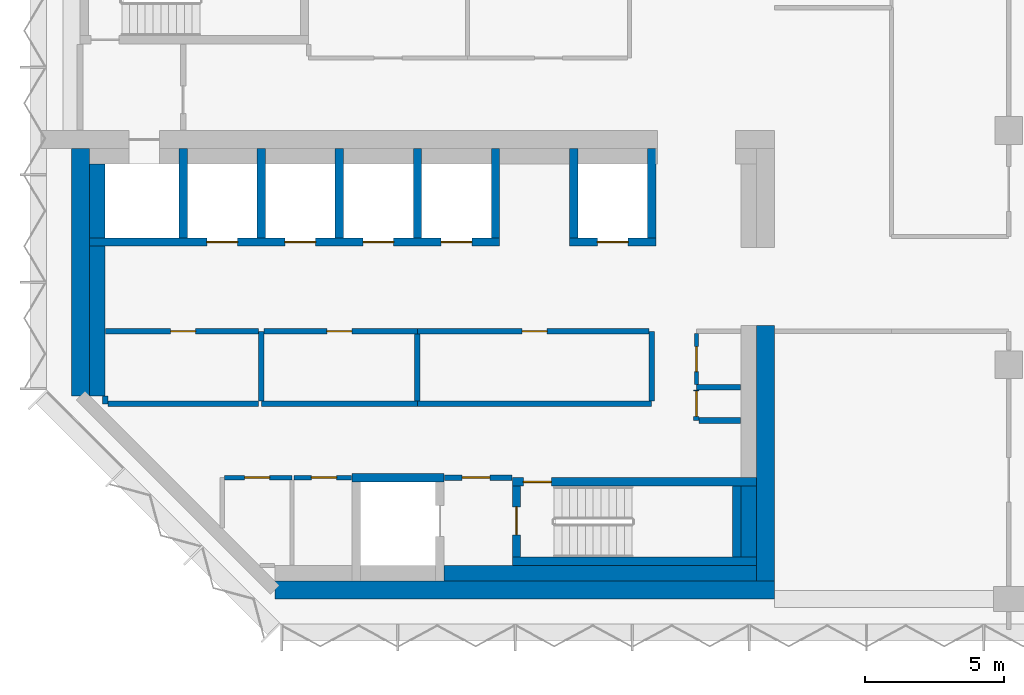
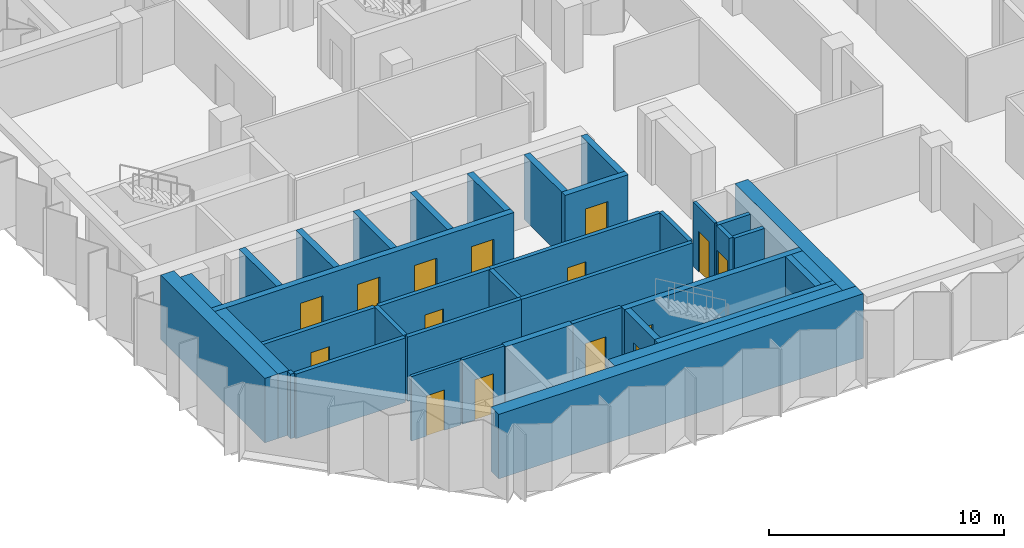
# One storey, part 5 of 10: 38 walls, 15 doors, 15 openings.
"""IFC4 building model written with IfcOpenShell, lengths in metres."""

import ifcopenshell
import ifcopenshell.guid

model = None  # the IFC model being written
_history = None  # IfcOwnerHistory: only IFC2X3 demands one
_inside = {}  # id of a spatial element -> (the spatial element, [elements in it])
_under = {}  # id of a project, library or spatial element -> (it, [spatial elements below it])
_declared = {}  # id of a project -> (the project, [libraries it declares])
_typed = {}  # id of a type object -> (the type object, [elements of that type])
_made_of = {}  # id of a material, layer set ... -> (it, [elements and type objects made of it])


def new_model(schema):
    """Start an empty IFC model of exactly this schema.

    Asked for "IFC4X3", IfcOpenShell would pick the latest addendum, in which some entities
    have other attributes; the version numbers below select the first issue.
    IFC2X3 requires an IfcOwnerHistory on every rooted entity: one is made here for all.
    """
    global model, _history
    if schema == "IFC4X3":
        model = ifcopenshell.file(schema_version=(4, 3, 0, 0))
    else:
        model = ifcopenshell.file(schema=schema)
    _inside.clear()
    _under.clear()
    _declared.clear()
    _typed.clear()
    _made_of.clear()
    _history = None
    if model.schema == "IFC2X3":
        org = make("IfcOrganization", Name="unknown")
        user = make(
            "IfcPersonAndOrganization",
            ThePerson=make("IfcPerson", FamilyName="unknown"),
            TheOrganization=org,
        )
        app = make(
            "IfcApplication",
            ApplicationDeveloper=org,
            Version="unknown",
            ApplicationFullName="unknown",
            ApplicationIdentifier="unknown",
        )
        _history = make(
            "IfcOwnerHistory",
            OwningUser=user,
            OwningApplication=app,
            ChangeAction="ADDED",
            CreationDate=0,
        )
    return model


def make(cls, **values):
    """One entity of the class cls with the attributes given. An attribute that is None is left unset."""
    return model.create_entity(
        cls, **{name: value for name, value in values.items() if value is not None}
    )


def rooted(cls, **values):
    """An entity with a GlobalId (a new one), such as an element, a storey or a relation."""
    return make(cls, GlobalId=ifcopenshell.guid.new(), OwnerHistory=_history, **values)


def si_unit(unit_type, name, prefix=None):
    """IfcSIUnit, for example si_unit("LENGTHUNIT", "METRE", prefix="MILLI")."""
    return make("IfcSIUnit", UnitType=unit_type, Prefix=prefix, Name=name)


def assignment(units):
    """IfcUnitAssignment: the units of a project."""
    return None if units is None else make("IfcUnitAssignment", Units=units)


def point(xyz):
    """IfcCartesianPoint."""
    return None if xyz is None else make("IfcCartesianPoint", Coordinates=xyz)


def direction(xyz):
    """IfcDirection."""
    return None if xyz is None else make("IfcDirection", DirectionRatios=xyz)


def frame(location, z_axis=None, x_axis=None):
    """IfcAxis2Placement3D, a coordinate frame: its origin and axes. An axis left out is left unset."""
    return make(
        "IfcAxis2Placement3D",
        Location=point(location),
        Axis=direction(z_axis),
        RefDirection=direction(x_axis),
    )


def frame_2d(location, x_axis=None):
    """IfcAxis2Placement2D, a coordinate frame in the plane: its origin and x axis."""
    return make(
        "IfcAxis2Placement2D", Location=point(location), RefDirection=direction(x_axis)
    )


def origin():
    """The frame at (0, 0, 0) with its axes left unset."""
    return frame((0.0, 0.0, 0.0))


def place(relative_to, where):
    """IfcLocalPlacement: puts the frame where relative to a parent placement (None: the world)."""
    return make(
        "IfcLocalPlacement", PlacementRelTo=relative_to, RelativePlacement=where
    )


def context(
    kind, dimensions, precision=None, world=None, true_north=None, identifier=None
):
    """IfcGeometricRepresentationContext, for example the 3D "Model" context."""
    return make(
        "IfcGeometricRepresentationContext",
        ContextIdentifier=identifier,
        ContextType=kind,
        CoordinateSpaceDimension=dimensions,
        Precision=precision,
        WorldCoordinateSystem=world,
        TrueNorth=true_north,
    )


def subcontext(parent, identifier, kind, view, scale=None):
    """IfcGeometricRepresentationSubContext, for example "Body" below "Model"."""
    return make(
        "IfcGeometricRepresentationSubContext",
        ContextIdentifier=identifier,
        ContextType=kind,
        ParentContext=parent,
        TargetScale=scale,
        TargetView=view,
    )


def project(units=None, contexts=None):
    """IfcProject with its units and contexts."""
    return rooted(
        "IfcProject",
        Name="project",
        RepresentationContexts=contexts,
        UnitsInContext=assignment(units),
    )


def spatial(cls, under=None, at=None, **own):
    """A site, building, storey or space (cls), placed at a placement, below another one or the project."""
    s = rooted(cls, ObjectPlacement=at, **own)
    if under is not None:
        _under.setdefault(under.id(), (under, []))[1].append(s)
    return s


def profile(cls, at=None, kind="AREA", **sizes):
    """A parametric profile (cls). Its sizes go by their IFC names, for example OverallWidth=200.0."""
    return make(cls, ProfileType=kind, Position=at, **sizes)


def rectangle(**sizes):
    """IfcRectangleProfileDef."""
    return profile("IfcRectangleProfileDef", **sizes)


def extrude(swept, where, along, depth):
    """IfcExtrudedAreaSolid: the profile swept, set in the frame where, extruded along a direction by depth."""
    return make(
        "IfcExtrudedAreaSolid",
        SweptArea=swept,
        Position=where,
        ExtrudedDirection=direction(along),
        Depth=depth,
    )


def shape(context_of_items, identifier, shape_type, items):
    """IfcShapeRepresentation: the items that make up one representation, for example the "Body"."""
    return make(
        "IfcShapeRepresentation",
        ContextOfItems=context_of_items,
        RepresentationIdentifier=identifier,
        RepresentationType=shape_type,
        Items=items,
    )


def material(Name=None, Category=None):
    """IfcMaterial."""
    return make("IfcMaterial", Name=Name, Category=Category)


def layer(
    of_material, thickness, ventilated=None, Name=None, Category=None, Priority=None
):
    """IfcMaterialLayer: one layer of a wall or slab, of a material (None: an air gap)."""
    return make(
        "IfcMaterialLayer",
        Material=of_material,
        LayerThickness=thickness,
        IsVentilated=ventilated,
        Name=Name,
        Category=Category,
        Priority=Priority,
    )


def layer_set(layers, Name=None):
    """IfcMaterialLayerSet."""
    return make("IfcMaterialLayerSet", MaterialLayers=layers, LayerSetName=Name)


def made_of(thing, what):
    """Note that an element or type object is made of a material, layer set ...; save() writes the relation."""
    if what is not None:
        _made_of.setdefault(what.id(), (what, []))[1].append(thing)
    return thing


def type_object(cls, material=None, **own):
    """A type object (cls), such as IfcWallType, which elements share."""
    return made_of(rooted(cls, **own), material)


def element(
    cls,
    number,
    at=None,
    inside=None,
    cuts=None,
    type_object=None,
    material=None,
    context=None,
    identifier="Body",
    shape_type=None,
    held_by="IfcProductDefinitionShape",
    body=None,
    shapes=None,
    **own,
):
    """One element of the class cls, such as IfcWall. Its Tag is "e" and its number.

    at: its placement. inside: the storey or other place that contains it. cuts: it is an
    opening in that element (IfcRelVoidsElement). A single representation is given by context,
    identifier, shape_type and body (its items); several are given by shapes. held_by: the class
    of the entity that holds the representations. save() writes the other relations.
    """
    e = rooted(cls, Tag="e%d" % number, ObjectPlacement=at, **own)
    if body is not None:
        shapes = [shape(context, identifier, shape_type, body)]
    if shapes is not None:
        e.Representation = make(held_by, Representations=shapes)
    if inside is not None:
        _inside.setdefault(inside.id(), (inside, []))[1].append(e)
    if cuts is not None:
        rooted(
            "IfcRelVoidsElement", RelatingBuildingElement=cuts, RelatedOpeningElement=e
        )
    if type_object is not None:
        _typed.setdefault(type_object.id(), (type_object, []))[1].append(e)
    return made_of(e, material)


def fill(opening, filler):
    """IfcRelFillsElement: the door or window that sits in an opening."""
    return rooted(
        "IfcRelFillsElement",
        RelatingOpeningElement=opening,
        RelatedBuildingElement=filler,
    )


def aggregate(whole, parts):
    """IfcRelAggregates: a whole, such as a stair, and the parts it consists of."""
    return rooted("IfcRelAggregates", RelatingObject=whole, RelatedObjects=parts)


def save(model, path):
    """Write the relations noted so far, then the file.

    IfcRelAggregates (storeys below a building ...), IfcRelContainedInSpatialStructure (elements
    in a storey), IfcRelDefinesByType, IfcRelAssociatesMaterial and IfcRelDeclares: one each for
    every whole, place, type object, material and project.
    """
    for whole, parts in _under.values():
        aggregate(whole, parts)
    for where, things in _inside.values():
        rooted(
            "IfcRelContainedInSpatialStructure",
            RelatedElements=things,
            RelatingStructure=where,
        )
    for kind, things in _typed.values():
        rooted("IfcRelDefinesByType", RelatedObjects=things, RelatingType=kind)
    for what, things in _made_of.values():
        rooted("IfcRelAssociatesMaterial", RelatedObjects=things, RelatingMaterial=what)
    for by, libraries in _declared.values():
        rooted("IfcRelDeclares", RelatingContext=by, RelatedDefinitions=libraries)
    model.write(path)


model = new_model("IFC4")

# Units and contexts
model_context = context("Model", 3, precision=1e-05, world=origin(), true_north=direction((0.0, 1.0)))
body_context = subcontext(model_context, "Body", "Model", "MODEL_VIEW")
ifc_project = project(units=[si_unit("LENGTHUNIT", "METRE"), si_unit("AREAUNIT", "SQUARE_METRE"), si_unit("VOLUMEUNIT", "CUBIC_METRE"), si_unit("PLANEANGLEUNIT", "RADIAN"), si_unit("MASSUNIT", "GRAM", prefix="KILO")], contexts=[model_context])

# Site, building, storey
site_placement = place(None, origin())
site = spatial("IfcSite", under=ifc_project, at=site_placement, CompositionType="ELEMENT")
building_placement = place(site_placement, origin())
building = spatial("IfcBuilding", under=site, at=building_placement, Name="Brevane Broadcast Tower", CompositionType="ELEMENT")
storey_placement = place(building_placement, frame((0.0, 0.0, 181.199951171875)))
storey = spatial("IfcBuildingStorey", under=building, at=storey_placement, Name="L45", CompositionType="ELEMENT", Elevation=181.199951171875)

# Walls
ifc_material_1 = material(Name="Concrete C32/40", Category="concrete")
ifc_layer_1 = layer(ifc_material_1, 0.550048828125)
ifc_layer_set_1 = layer_set([ifc_layer_1], Name="Core chase wall 550 mm")
wall_type_1 = type_object("IfcWallType", Name="Core chase wall 550 mm", PredefinedType="PARTITIONING", material=ifc_layer_set_1)
wall_1_placement = place(storey_placement, frame((0.925048828125, 7.286376953125, 0.0), z_axis=(0.0, 0.0, 1.0), x_axis=(0.0, 1.0, 0.0)))
element("IfcWall", 1, at=wall_1_placement, inside=storey, type_object=wall_type_1, Name="L45 chase wall LW-1", PredefinedType="PARTITIONING", context=body_context, shape_type="SweptSolid", body=[
    extrude(rectangle(XDim=5.363525390625, YDim=0.550048828125, at=frame_2d((2.681640625, 0.0))), origin(), (0.0, 0.0, 1.0), 3.35009765625),
])
wall_2_placement = place(storey_placement, frame((0.925048828125, 12.949951171875, 0.0), z_axis=(0.0, 0.0, 1.0), x_axis=(0.0, 1.0, 0.0)))
element("IfcWall", 2, at=wall_2_placement, inside=storey, type_object=wall_type_1, Name="L45 chase wall LW-2", PredefinedType="PARTITIONING", context=body_context, shape_type="SweptSolid", body=[
    extrude(rectangle(XDim=2.650146484375, YDim=0.550048828125, at=frame_2d((1.3251953125, 0.0))), origin(), (0.0, 0.0, 1.0), 3.35009765625),
])
wall_3_placement = place(storey_placement, frame((13.35009765625, 0.925048828125, 0.0), z_axis=(0.0, 0.0, 1.0), x_axis=(1.0, 0.0, 0.0)))
element("IfcWall", 3, at=wall_3_placement, inside=storey, type_object=wall_type_1, Name="L45 chase wall LS-2-2", PredefinedType="PARTITIONING", context=body_context, shape_type="SweptSolid", body=[
    extrude(rectangle(XDim=11.199951171875, YDim=0.550048828125, at=frame_2d((5.60009765625, 0.0))), origin(), (0.0, 0.0, 1.0), 3.35009765625),
])
wall_4_placement = place(storey_placement, frame((24.27490234375, 1.5, 0.0), z_axis=(0.0, 0.0, 1.0), x_axis=(0.0, 1.0, 0.0)))
element("IfcWall", 4, at=wall_4_placement, inside=storey, type_object=wall_type_1, Name="L45 chase wall LE1-2-1", PredefinedType="PARTITIONING", context=body_context, shape_type="SweptSolid", body=[
    extrude(rectangle(XDim=2.550048828125, YDim=0.550048828125, at=frame_2d((1.27490234375, 0.0))), origin(), (0.0, 0.0, 1.0), 3.35009765625),
])

# Wall, opening, door
ifc_material_2 = material(Name="Gypsum board on steel studs", Category="steel")
ifc_layer_2 = layer(ifc_material_2, 0.14990234375)
ifc_layer_set_2 = layer_set([ifc_layer_2], Name="Core fire partition 150 mm")
wall_type_2 = type_object("IfcWallType", Name="Core fire partition 150 mm", PredefinedType="PARTITIONING", material=ifc_layer_set_2)
wall_5_placement = place(storey_placement, frame((5.47509765625, 4.35009765625, 0.0), z_axis=(0.0, 0.0, 1.0), x_axis=(1.0, 0.0, 0.0)))
wall_5 = element("IfcWall", 5, at=wall_5_placement, inside=storey, type_object=wall_type_2, Name="L45 partition wall P18", PredefinedType="PARTITIONING", context=body_context, shape_type="SweptSolid", body=[
    extrude(rectangle(XDim=2.4248046875, YDim=0.14990234375, at=frame_2d((1.21240234375, 0.0))), origin(), (0.0, 0.0, 1.0), 3.35009765625),
])
opening_1_placement = place(wall_5_placement, frame((0.72509765625, 0.0, 0.0)))
opening_1 = element("IfcOpeningElement", 6, at=opening_1_placement, cuts=wall_5, Name="Opening L45-K14", PredefinedType="OPENING", context=body_context, shape_type="SweptSolid", body=[
    extrude(rectangle(XDim=0.89990234375, YDim=2.10009765625, at=frame_2d((0.449951171875, 1.050048828125))), frame((0.0, 0.0849609375, 0.0), z_axis=(0.0, -1.0, 0.0), x_axis=(1.0, 0.0, 0.0)), (0.0, 0.0, 1.0), 0.169921875),
])
ifc_material_3 = material(Name="Timber", Category="wood")
door_type_1 = type_object("IfcDoorType", Name="Toilet door 900 x 2100", OperationType="SINGLE_SWING_LEFT", PredefinedType="DOOR", material=ifc_material_3)
door_1_placement = place(opening_1_placement, origin())
door_1 = element("IfcDoor", 7, at=door_1_placement, inside=storey, type_object=door_type_1, Name="Door L45-K14", OperationType="SINGLE_SWING_LEFT", OverallHeight=2.10009765625, OverallWidth=0.89990234375, PredefinedType="DOOR", context=body_context, shape_type="SweptSolid", body=[
    extrude(rectangle(XDim=0.89990234375, YDim=2.10009765625, at=frame_2d((0.449951171875, 1.050048828125))), frame((0.0, 0.02490234375, 0.0), z_axis=(0.0, -1.0, 0.0), x_axis=(1.0, 0.0, 0.0)), (0.0, 0.0, 1.0), 0.050048828125),
])
fill(opening_1, door_1)

wall_6_placement = place(storey_placement, frame((10.0380859375, 4.35009765625, 0.0), z_axis=(0.0, 0.0, 1.0), x_axis=(-1.0, 0.0, 0.0)))
wall_6 = element("IfcWall", 8, at=wall_6_placement, inside=storey, type_object=wall_type_2, Name="L45 partition wall P21", PredefinedType="PARTITIONING", context=body_context, shape_type="SweptSolid", body=[
    extrude(rectangle(XDim=2.06298828125, YDim=0.14990234375, at=frame_2d((1.031494140625, 0.0))), origin(), (0.0, 0.0, 1.0), 3.35009765625),
])
opening_2_placement = place(wall_6_placement, frame((0.5380859375, 0.0, 0.0)))
opening_2 = element("IfcOpeningElement", 9, at=opening_2_placement, cuts=wall_6, Name="Opening L45-K15", PredefinedType="OPENING", context=body_context, shape_type="SweptSolid", body=[
    extrude(rectangle(XDim=0.89990234375, YDim=2.10009765625, at=frame_2d((0.449951171875, 1.050048828125))), frame((0.0, 0.0849609375, 0.0), z_axis=(0.0, -1.0, 0.0), x_axis=(1.0, 0.0, 0.0)), (0.0, 0.0, 1.0), 0.169921875),
])
door_2_placement = place(opening_2_placement, origin())
door_2 = element("IfcDoor", 10, at=door_2_placement, inside=storey, type_object=door_type_1, Name="Door L45-K15", OperationType="SINGLE_SWING_RIGHT", OverallHeight=2.10009765625, OverallWidth=0.89990234375, PredefinedType="DOOR", context=body_context, shape_type="SweptSolid", body=[
    extrude(rectangle(XDim=0.89990234375, YDim=2.10009765625, at=frame_2d((0.449951171875, 1.050048828125))), frame((0.0, 0.02490234375, 0.0), z_axis=(0.0, -1.0, 0.0), x_axis=(1.0, 0.0, 0.0)), (0.0, 0.0, 1.0), 0.050048828125),
])
fill(opening_2, door_2)

wall_7_placement = place(storey_placement, frame((22.39990234375, 9.52490234375, 0.0), z_axis=(0.0, 0.0, 1.0), x_axis=(0.0, -1.0, 0.0)))
wall_7 = element("IfcWall", 11, at=wall_7_placement, inside=storey, type_object=wall_type_2, Name="L45 partition wall P36", PredefinedType="PARTITIONING", context=body_context, shape_type="SweptSolid", body=[
    extrude(rectangle(XDim=1.824951171875, YDim=0.14990234375, at=frame_2d((0.91259765625, 0.0))), origin(), (0.0, 0.0, 1.0), 3.35009765625),
])
opening_3_placement = place(wall_7_placement, frame((0.47509765625, 0.0, 0.0)))
opening_3 = element("IfcOpeningElement", 12, at=opening_3_placement, cuts=wall_7, Name="Opening L45-K18", PredefinedType="OPENING", context=body_context, shape_type="SweptSolid", body=[
    extrude(rectangle(XDim=0.89990234375, YDim=2.10009765625, at=frame_2d((0.449951171875, 1.050048828125))), frame((0.0, 0.0849609375, 0.0), z_axis=(0.0, -1.0, 0.0), x_axis=(1.0, 0.0, 0.0)), (0.0, 0.0, 1.0), 0.169921875),
])
ifc_material_4 = material(Name="Steel", Category="steel")
door_type_2 = type_object("IfcDoorType", Name="Service room door 900 x 2100", OperationType="SINGLE_SWING_LEFT", PredefinedType="DOOR", material=ifc_material_4)
door_3_placement = place(opening_3_placement, origin())
door_3 = element("IfcDoor", 13, at=door_3_placement, inside=storey, type_object=door_type_2, Name="Door L45-K18", OperationType="SINGLE_SWING_LEFT", OverallHeight=2.10009765625, OverallWidth=0.89990234375, PredefinedType="DOOR", context=body_context, shape_type="SweptSolid", body=[
    extrude(rectangle(XDim=0.89990234375, YDim=2.10009765625, at=frame_2d((0.449951171875, 1.050048828125))), frame((0.0, 0.02490234375, 0.0), z_axis=(0.0, -1.0, 0.0), x_axis=(1.0, 0.0, 0.0)), (0.0, 0.0, 1.0), 0.050048828125),
])
fill(opening_3, door_3)

ifc_layer_3 = layer(ifc_material_2, 0.199951171875)
ifc_layer_set_3 = layer_set([ifc_layer_3], Name="Core fire partition 200 mm")
wall_type_3 = type_object("IfcWallType", Name="Core fire partition 200 mm", PredefinedType="PARTITIONING", material=ifc_layer_set_3)
wall_8_placement = place(storey_placement, frame((13.362060546875, 4.35009765625, 0.0), z_axis=(0.0, 0.0, 1.0), x_axis=(1.0, 0.0, 0.0)))
wall_8 = element("IfcWall", 14, at=wall_8_placement, inside=storey, type_object=wall_type_3, Name="L45 partition wall P03", PredefinedType="PARTITIONING", context=body_context, shape_type="SweptSolid", body=[
    extrude(rectangle(XDim=2.426025390625, YDim=0.199951171875, at=frame_2d((1.212890625, 0.0))), origin(), (0.0, 0.0, 1.0), 3.35009765625),
])
opening_4_placement = place(wall_8_placement, frame((0.637939453125, 0.0, 0.0)))
opening_4 = element("IfcOpeningElement", 15, at=opening_4_placement, cuts=wall_8, Name="Opening L45-K16", PredefinedType="OPENING", context=body_context, shape_type="SweptSolid", body=[
    extrude(rectangle(XDim=1.0, YDim=2.10009765625, at=frame_2d((0.5, 1.050048828125))), frame((0.0, 0.10986328125, 0.0), z_axis=(0.0, -1.0, 0.0), x_axis=(1.0, 0.0, 0.0)), (0.0, 0.0, 1.0), 0.219970703125),
])
door_type_3 = type_object("IfcDoorType", Name="Stair door 1000 x 2100", OperationType="SINGLE_SWING_LEFT", PredefinedType="DOOR", material=ifc_material_4)
door_4_placement = place(opening_4_placement, origin())
door_4 = element("IfcDoor", 16, at=door_4_placement, inside=storey, type_object=door_type_3, Name="Door L45-K16", OperationType="SINGLE_SWING_LEFT", OverallHeight=2.10009765625, OverallWidth=1.0, PredefinedType="DOOR", context=body_context, shape_type="SweptSolid", body=[
    extrude(rectangle(XDim=1.0, YDim=2.10009765625, at=frame_2d((0.5, 1.050048828125))), frame((0.0, 0.02490234375, 0.0), z_axis=(0.0, -1.0, 0.0), x_axis=(1.0, 0.0, 0.0)), (0.0, 0.0, 1.0), 0.050048828125),
])
fill(opening_4, door_4)

# Walls
wall_9_placement = place(storey_placement, frame((6.800048828125, 7.0, 0.0), z_axis=(0.0, 0.0, 1.0), x_axis=(1.0, 0.0, 0.0)))
element("IfcWall", 17, at=wall_9_placement, inside=storey, type_object=wall_type_3, Name="L45 partition wall P04", PredefinedType="PARTITIONING", context=body_context, shape_type="SweptSolid", body=[
    extrude(rectangle(XDim=5.599853515625, YDim=0.199951171875, at=frame_2d((2.7998046875, 0.0))), origin(), (0.0, 0.0, 1.0), 3.35009765625),
])
wall_10_placement = place(storey_placement, frame((6.800048828125, 9.60009765625, 0.0), z_axis=(0.0, 0.0, 1.0), x_axis=(0.0, -1.0, 0.0)))
element("IfcWall", 18, at=wall_10_placement, inside=storey, type_object=wall_type_3, Name="L45 partition wall P05", PredefinedType="PARTITIONING", context=body_context, shape_type="SweptSolid", body=[
    extrude(rectangle(XDim=2.5, YDim=0.199951171875, at=frame_2d((1.25, 0.0))), origin(), (0.0, 0.0, 1.0), 3.35009765625),
])

# Wall, opening, door
wall_11_placement = place(storey_placement, frame((6.699951171875, 9.60009765625, 0.0), z_axis=(0.0, 0.0, 1.0), x_axis=(-1.0, 0.0, 0.0)))
wall_11 = element("IfcWall", 19, at=wall_11_placement, inside=storey, type_object=wall_type_3, Name="L45 partition wall P06", PredefinedType="PARTITIONING", context=body_context, shape_type="SweptSolid", body=[
    extrude(rectangle(XDim=5.488037109375, YDim=0.199951171875, at=frame_2d((2.744140625, 0.0))), origin(), (0.0, 0.0, 1.0), 3.35009765625),
])
opening_5_placement = place(wall_11_placement, frame((2.25, 0.0, 0.0)))
opening_5 = element("IfcOpeningElement", 20, at=opening_5_placement, cuts=wall_11, Name="Opening L45-K19", PredefinedType="OPENING", context=body_context, shape_type="SweptSolid", body=[
    extrude(rectangle(XDim=0.89990234375, YDim=2.10009765625, at=frame_2d((0.449951171875, 1.050048828125))), frame((0.0, 0.10986328125, 0.0), z_axis=(0.0, -1.0, 0.0), x_axis=(1.0, 0.0, 0.0)), (0.0, 0.0, 1.0), 0.219970703125),
])
door_5_placement = place(opening_5_placement, origin())
door_5 = element("IfcDoor", 21, at=door_5_placement, inside=storey, type_object=door_type_2, Name="Door L45-K19", OperationType="SINGLE_SWING_RIGHT", OverallHeight=2.10009765625, OverallWidth=0.89990234375, PredefinedType="DOOR", context=body_context, shape_type="SweptSolid", body=[
    extrude(rectangle(XDim=0.89990234375, YDim=2.10009765625, at=frame_2d((0.449951171875, 1.050048828125))), frame((0.0, 0.02490234375, 0.0), z_axis=(0.0, -1.0, 0.0), x_axis=(1.0, 0.0, 0.0)), (0.0, 0.0, 1.0), 0.050048828125),
])
fill(opening_5, door_5)

# Walls
wall_12_placement = place(storey_placement, frame((1.199951171875, 7.2744140625, 0.0), z_axis=(0.0, 0.0, 1.0), x_axis=(0.0, -1.0, 0.0)))
element("IfcWall", 22, at=wall_12_placement, inside=storey, type_object=wall_type_3, Name="L45 partition wall P07", PredefinedType="PARTITIONING", context=body_context, shape_type="SweptSolid", body=[
    extrude(rectangle(XDim=0.2744140625, YDim=0.199951171875, at=frame_2d((0.13720703125, 0.0))), origin(), (0.0, 0.0, 1.0), 3.35009765625),
])
wall_13_placement = place(storey_placement, frame((1.300048828125, 7.0, 0.0), z_axis=(0.0, 0.0, 1.0), x_axis=(1.0, 0.0, 0.0)))
element("IfcWall", 23, at=wall_13_placement, inside=storey, type_object=wall_type_3, Name="L45 partition wall P08", PredefinedType="PARTITIONING", context=body_context, shape_type="SweptSolid", body=[
    extrude(rectangle(XDim=5.39990234375, YDim=0.199951171875, at=frame_2d((2.699951171875, 0.0))), origin(), (0.0, 0.0, 1.0), 3.35009765625),
])

# Wall, opening, door
wall_14_placement = place(storey_placement, frame((12.39990234375, 9.60009765625, 0.0), z_axis=(0.0, 0.0, 1.0), x_axis=(-1.0, 0.0, 0.0)))
wall_14 = element("IfcWall", 24, at=wall_14_placement, inside=storey, type_object=wall_type_3, Name="L45 partition wall P09", PredefinedType="PARTITIONING", context=body_context, shape_type="SweptSolid", body=[
    extrude(rectangle(XDim=5.5, YDim=0.199951171875, at=frame_2d((2.75, 0.0))), origin(), (0.0, 0.0, 1.0), 3.35009765625),
])
opening_6_placement = place(wall_14_placement, frame((2.35009765625, 0.0, 0.0)))
opening_6 = element("IfcOpeningElement", 25, at=opening_6_placement, cuts=wall_14, Name="Opening L45-K20", PredefinedType="OPENING", context=body_context, shape_type="SweptSolid", body=[
    extrude(rectangle(XDim=0.89990234375, YDim=2.10009765625, at=frame_2d((0.449951171875, 1.050048828125))), frame((0.0, 0.10986328125, 0.0), z_axis=(0.0, -1.0, 0.0), x_axis=(1.0, 0.0, 0.0)), (0.0, 0.0, 1.0), 0.219970703125),
])
door_6_placement = place(opening_6_placement, origin())
door_6 = element("IfcDoor", 26, at=door_6_placement, inside=storey, type_object=door_type_2, Name="Door L45-K20", OperationType="SINGLE_SWING_LEFT", OverallHeight=2.10009765625, OverallWidth=0.89990234375, PredefinedType="DOOR", context=body_context, shape_type="SweptSolid", body=[
    extrude(rectangle(XDim=0.89990234375, YDim=2.10009765625, at=frame_2d((0.449951171875, 1.050048828125))), frame((0.0, 0.02490234375, 0.0), z_axis=(0.0, -1.0, 0.0), x_axis=(1.0, 0.0, 0.0)), (0.0, 0.0, 1.0), 0.050048828125),
])
fill(opening_6, door_6)

# Walls
wall_15_placement = place(storey_placement, frame((12.39990234375, 7.0, 0.0), z_axis=(0.0, 0.0, 1.0), x_axis=(1.0, 0.0, 0.0)))
element("IfcWall", 27, at=wall_15_placement, inside=storey, type_object=wall_type_3, Name="L45 partition wall P10", PredefinedType="PARTITIONING", context=body_context, shape_type="SweptSolid", body=[
    extrude(rectangle(XDim=8.400146484375, YDim=0.199951171875, at=frame_2d((4.2001953125, 0.0))), origin(), (0.0, 0.0, 1.0), 3.35009765625),
])
wall_16_placement = place(storey_placement, frame((20.800048828125, 7.10009765625, 0.0), z_axis=(0.0, 0.0, 1.0), x_axis=(0.0, 1.0, 0.0)))
element("IfcWall", 28, at=wall_16_placement, inside=storey, type_object=wall_type_3, Name="L45 partition wall P11", PredefinedType="PARTITIONING", context=body_context, shape_type="SweptSolid", body=[
    extrude(rectangle(XDim=2.5, YDim=0.199951171875, at=frame_2d((1.25, 0.0))), origin(), (0.0, 0.0, 1.0), 3.35009765625),
])

# Wall, opening, door
wall_17_placement = place(storey_placement, frame((20.699951171875, 9.60009765625, 0.0), z_axis=(0.0, 0.0, 1.0), x_axis=(-1.0, 0.0, 0.0)))
wall_17 = element("IfcWall", 29, at=wall_17_placement, inside=storey, type_object=wall_type_3, Name="L45 partition wall P12", PredefinedType="PARTITIONING", context=body_context, shape_type="SweptSolid", body=[
    extrude(rectangle(XDim=8.300048828125, YDim=0.199951171875, at=frame_2d((4.14990234375, 0.0))), origin(), (0.0, 0.0, 1.0), 3.35009765625),
])
opening_7_placement = place(wall_17_placement, frame((3.64990234375, 0.0, 0.0)))
opening_7 = element("IfcOpeningElement", 30, at=opening_7_placement, cuts=wall_17, Name="Opening L45-K21", PredefinedType="OPENING", context=body_context, shape_type="SweptSolid", body=[
    extrude(rectangle(XDim=0.89990234375, YDim=2.10009765625, at=frame_2d((0.449951171875, 1.050048828125))), frame((0.0, 0.10986328125, 0.0), z_axis=(0.0, -1.0, 0.0), x_axis=(1.0, 0.0, 0.0)), (0.0, 0.0, 1.0), 0.219970703125),
])
door_7_placement = place(opening_7_placement, origin())
door_7 = element("IfcDoor", 31, at=door_7_placement, inside=storey, type_object=door_type_2, Name="Door L45-K21", OperationType="SINGLE_SWING_RIGHT", OverallHeight=2.10009765625, OverallWidth=0.89990234375, PredefinedType="DOOR", context=body_context, shape_type="SweptSolid", body=[
    extrude(rectangle(XDim=0.89990234375, YDim=2.10009765625, at=frame_2d((0.449951171875, 1.050048828125))), frame((0.0, 0.02490234375, 0.0), z_axis=(0.0, -1.0, 0.0), x_axis=(1.0, 0.0, 0.0)), (0.0, 0.0, 1.0), 0.050048828125),
])
fill(opening_7, door_7)

# Walls
wall_18_placement = place(storey_placement, frame((12.39990234375, 9.5, 0.0), z_axis=(0.0, 0.0, 1.0), x_axis=(0.0, -1.0, 0.0)))
element("IfcWall", 32, at=wall_18_placement, inside=storey, type_object=wall_type_3, Name="L45 partition wall P13", PredefinedType="PARTITIONING", context=body_context, shape_type="SweptSolid", body=[
    extrude(rectangle(XDim=2.39990234375, YDim=0.199951171875, at=frame_2d((1.199951171875, 0.0))), origin(), (0.0, 0.0, 1.0), 3.35009765625),
])
wall_19_placement = place(storey_placement, frame((23.988037109375, 7.60009765625, 0.0), z_axis=(0.0, 0.0, 1.0), x_axis=(-1.0, 0.0, 0.0)))
element("IfcWall", 33, at=wall_19_placement, inside=storey, type_object=wall_type_3, Name="L45 partition wall P14", PredefinedType="PARTITIONING", context=body_context, shape_type="SweptSolid", body=[
    extrude(rectangle(XDim=1.588134765625, YDim=0.199951171875, at=frame_2d((0.7939453125, 0.0))), origin(), (0.0, 0.0, 1.0), 3.35009765625),
])

# Wall, opening, door
wall_20_placement = place(storey_placement, frame((22.39990234375, 7.5, 0.0), z_axis=(0.0, 0.0, 1.0), x_axis=(0.0, -1.0, 0.0)))
wall_20 = element("IfcWall", 34, at=wall_20_placement, inside=storey, type_object=wall_type_3, Name="L45 partition wall P15", PredefinedType="PARTITIONING", context=body_context, shape_type="SweptSolid", body=[
    extrude(rectangle(XDim=1.10009765625, YDim=0.199951171875, at=frame_2d((0.550048828125, 0.0))), origin(), (0.0, 0.0, 1.0), 3.35009765625),
])
opening_8_placement = place(wall_20_placement, frame((0.050048828125, 0.0, 0.0)))
opening_8 = element("IfcOpeningElement", 35, at=opening_8_placement, cuts=wall_20, Name="Opening L45-K17", PredefinedType="OPENING", context=body_context, shape_type="SweptSolid", body=[
    extrude(rectangle(XDim=0.89990234375, YDim=2.10009765625, at=frame_2d((0.449951171875, 1.050048828125))), frame((0.0, 0.10986328125, 0.0), z_axis=(0.0, -1.0, 0.0), x_axis=(1.0, 0.0, 0.0)), (0.0, 0.0, 1.0), 0.219970703125),
])
door_8_placement = place(opening_8_placement, origin())
door_8 = element("IfcDoor", 36, at=door_8_placement, inside=storey, type_object=door_type_2, Name="Door L45-K17", OperationType="SINGLE_SWING_RIGHT", OverallHeight=2.10009765625, OverallWidth=0.89990234375, PredefinedType="DOOR", context=body_context, shape_type="SweptSolid", body=[
    extrude(rectangle(XDim=0.89990234375, YDim=2.10009765625, at=frame_2d((0.449951171875, 1.050048828125))), frame((0.0, 0.02490234375, 0.0), z_axis=(0.0, -1.0, 0.0), x_axis=(1.0, 0.0, 0.0)), (0.0, 0.0, 1.0), 0.050048828125),
])
fill(opening_8, door_8)

# Wall
wall_21_placement = place(storey_placement, frame((22.5, 6.39990234375, 0.0), z_axis=(0.0, 0.0, 1.0), x_axis=(1.0, 0.0, 0.0)))
element("IfcWall", 37, at=wall_21_placement, inside=storey, type_object=wall_type_3, Name="L45 partition wall P16", PredefinedType="PARTITIONING", context=body_context, shape_type="SweptSolid", body=[
    extrude(rectangle(XDim=1.488037109375, YDim=0.199951171875, at=frame_2d((0.744140625, 0.0))), origin(), (0.0, 0.0, 1.0), 3.35009765625),
])

# Wall, openings, doors
ifc_material_5 = material(Name="Concrete C60/75", Category="concrete")
ifc_layer_4 = layer(ifc_material_5, 0.300048828125)
ifc_layer_set_4 = layer_set([ifc_layer_4], Name="Core wall 300 mm C60/75")
wall_type_4 = type_object("IfcWallType", Name="Core wall 300 mm C60/75", PredefinedType="SHEAR", material=ifc_layer_set_4)
wall_22_placement = place(storey_placement, frame((0.64990234375, 12.800048828125, 0.0), z_axis=(0.0, 0.0, 1.0), x_axis=(1.0, 0.0, 0.0)))
wall_22 = element("IfcWall", 38, at=wall_22_placement, inside=storey, type_object=wall_type_4, Name="L45 shaft wall SH-N012-front", PredefinedType="SHEAR", context=body_context, shape_type="SweptSolid", body=[
    extrude(rectangle(XDim=14.7001953125, YDim=0.300048828125, at=frame_2d((7.35009765625, 0.0))), origin(), (0.0, 0.0, 1.0), 3.35009765625),
])
opening_9_placement = place(wall_22_placement, frame((4.199951171875, 0.0, 0.0)))
opening_9 = element("IfcOpeningElement", 39, at=opening_9_placement, cuts=wall_22, Name="Opening LD", PredefinedType="OPENING", context=body_context, shape_type="SweptSolid", body=[
    extrude(rectangle(XDim=1.10009765625, YDim=2.300048828125, at=frame_2d((0.550048828125, 1.14990234375))), frame((0.0, 0.159912109375, 0.0), z_axis=(0.0, -1.0, 0.0), x_axis=(1.0, 0.0, 0.0)), (0.0, 0.0, 1.0), 0.320068359375),
])
opening_10_placement = place(wall_22_placement, frame((7.0, 0.0, 0.0)))
opening_10 = element("IfcOpeningElement", 40, at=opening_10_placement, cuts=wall_22, Name="Opening LD", PredefinedType="OPENING", context=body_context, shape_type="SweptSolid", body=[
    extrude(rectangle(XDim=1.10009765625, YDim=2.300048828125, at=frame_2d((0.550048828125, 1.14990234375))), frame((0.0, 0.159912109375, 0.0), z_axis=(0.0, -1.0, 0.0), x_axis=(1.0, 0.0, 0.0)), (0.0, 0.0, 1.0), 0.320068359375),
])
opening_11_placement = place(wall_22_placement, frame((9.800048828125, 0.0, 0.0)))
opening_11 = element("IfcOpeningElement", 41, at=opening_11_placement, cuts=wall_22, Name="Opening LD", PredefinedType="OPENING", context=body_context, shape_type="SweptSolid", body=[
    extrude(rectangle(XDim=1.10009765625, YDim=2.300048828125, at=frame_2d((0.550048828125, 1.14990234375))), frame((0.0, 0.159912109375, 0.0), z_axis=(0.0, -1.0, 0.0), x_axis=(1.0, 0.0, 0.0)), (0.0, 0.0, 1.0), 0.320068359375),
])
opening_12_placement = place(wall_22_placement, frame((12.60009765625, 0.0, 0.0)))
opening_12 = element("IfcOpeningElement", 42, at=opening_12_placement, cuts=wall_22, Name="Opening LD", PredefinedType="OPENING", context=body_context, shape_type="SweptSolid", body=[
    extrude(rectangle(XDim=1.10009765625, YDim=2.300048828125, at=frame_2d((0.550048828125, 1.14990234375))), frame((0.0, 0.159912109375, 0.0), z_axis=(0.0, -1.0, 0.0), x_axis=(1.0, 0.0, 0.0)), (0.0, 0.0, 1.0), 0.320068359375),
])
ifc_material_6 = material(Name="Stainless steel", Category="steel")
door_type_4 = type_object("IfcDoorType", Name="Lift landing door", OperationType="SLIDING_TO_LEFT", PredefinedType="DOOR", material=ifc_material_6)
door_9_placement = place(opening_9_placement, origin())
door_9 = element("IfcDoor", 43, at=door_9_placement, inside=storey, type_object=door_type_4, Name="Landing door HR1 L45", OperationType="SLIDING_TO_LEFT", OverallHeight=2.300048828125, OverallWidth=1.10009765625, PredefinedType="DOOR", context=body_context, shape_type="SweptSolid", body=[
    extrude(rectangle(XDim=1.10009765625, YDim=2.300048828125, at=frame_2d((0.550048828125, 1.14990234375))), frame((0.0, 0.02490234375, 0.0), z_axis=(0.0, -1.0, 0.0), x_axis=(1.0, 0.0, 0.0)), (0.0, 0.0, 1.0), 0.050048828125),
])
fill(opening_9, door_9)
door_10_placement = place(opening_10_placement, origin())
door_10 = element("IfcDoor", 44, at=door_10_placement, inside=storey, type_object=door_type_4, Name="Landing door HR2 L45", OperationType="SLIDING_TO_LEFT", OverallHeight=2.300048828125, OverallWidth=1.10009765625, PredefinedType="DOOR", context=body_context, shape_type="SweptSolid", body=[
    extrude(rectangle(XDim=1.10009765625, YDim=2.300048828125, at=frame_2d((0.550048828125, 1.14990234375))), frame((0.0, 0.02490234375, 0.0), z_axis=(0.0, -1.0, 0.0), x_axis=(1.0, 0.0, 0.0)), (0.0, 0.0, 1.0), 0.050048828125),
])
fill(opening_10, door_10)
door_11_placement = place(opening_11_placement, origin())
door_11 = element("IfcDoor", 45, at=door_11_placement, inside=storey, type_object=door_type_4, Name="Landing door HR3 L45", OperationType="SLIDING_TO_LEFT", OverallHeight=2.300048828125, OverallWidth=1.10009765625, PredefinedType="DOOR", context=body_context, shape_type="SweptSolid", body=[
    extrude(rectangle(XDim=1.10009765625, YDim=2.300048828125, at=frame_2d((0.550048828125, 1.14990234375))), frame((0.0, 0.02490234375, 0.0), z_axis=(0.0, -1.0, 0.0), x_axis=(1.0, 0.0, 0.0)), (0.0, 0.0, 1.0), 0.050048828125),
])
fill(opening_11, door_11)
door_12_placement = place(opening_12_placement, origin())
door_12 = element("IfcDoor", 46, at=door_12_placement, inside=storey, type_object=door_type_4, Name="Landing door HR4 L45", OperationType="SLIDING_TO_LEFT", OverallHeight=2.300048828125, OverallWidth=1.10009765625, PredefinedType="DOOR", context=body_context, shape_type="SweptSolid", body=[
    extrude(rectangle(XDim=1.10009765625, YDim=2.300048828125, at=frame_2d((0.550048828125, 1.14990234375))), frame((0.0, 0.02490234375, 0.0), z_axis=(0.0, -1.0, 0.0), x_axis=(1.0, 0.0, 0.0)), (0.0, 0.0, 1.0), 0.050048828125),
])
fill(opening_12, door_12)

# Walls
for number, where, z_axis, x_axis, name in (
    (47, (4.0, 12.949951171875, 0.0), (0.0, 0.0, 1.0), (0.0, 1.0, 0.0), "L45 shaft wall SH-N-P040"),
    (48, (6.800048828125, 12.949951171875, 0.0), (0.0, 0.0, 1.0), (0.0, 1.0, 0.0), "L45 shaft wall SH-N-P068"),
    (49, (9.60009765625, 12.949951171875, 0.0), (0.0, 0.0, 1.0), (0.0, 1.0, 0.0), "L45 shaft wall SH-N-P096"),
    (50, (12.39990234375, 12.949951171875, 0.0), (0.0, 0.0, 1.0), (0.0, 1.0, 0.0), "L45 shaft wall SH-N-P124"),
    (51, (15.199951171875, 12.949951171875, 0.0), (0.0, 0.0, 1.0), (0.0, 1.0, 0.0), "L45 shaft wall SH-N-P152"),
):
    element("IfcWall", number, at=place(storey_placement, frame(where, z_axis=z_axis, x_axis=x_axis)), inside=storey, type_object=wall_type_4, Name=name, PredefinedType="SHEAR", context=body_context, shape_type="SweptSolid", body=[
        extrude(rectangle(XDim=3.199951171875, YDim=0.300048828125, at=frame_2d((1.60009765625, 0.0))), origin(), (0.0, 0.0, 1.0), 3.35009765625),
    ])

# Wall, opening, door
wall_23_placement = place(storey_placement, frame((17.85009765625, 12.800048828125, 0.0), z_axis=(0.0, 0.0, 1.0), x_axis=(1.0, 0.0, 0.0)))
wall_23 = element("IfcWall", 52, at=wall_23_placement, inside=storey, type_object=wall_type_4, Name="L45 shaft wall SH-N180-front", PredefinedType="SHEAR", context=body_context, shape_type="SweptSolid", body=[
    extrude(rectangle(XDim=3.099853515625, YDim=0.300048828125, at=frame_2d((1.5498046875, 0.0))), origin(), (0.0, 0.0, 1.0), 3.35009765625),
])
opening_13_placement = place(wall_23_placement, frame((1.0, 0.0, 0.0)))
opening_13 = element("IfcOpeningElement", 53, at=opening_13_placement, cuts=wall_23, Name="Opening LD", PredefinedType="OPENING", context=body_context, shape_type="SweptSolid", body=[
    extrude(rectangle(XDim=1.10009765625, YDim=2.300048828125, at=frame_2d((0.550048828125, 1.14990234375))), frame((0.0, 0.159912109375, 0.0), z_axis=(0.0, -1.0, 0.0), x_axis=(1.0, 0.0, 0.0)), (0.0, 0.0, 1.0), 0.320068359375),
])
door_13_placement = place(opening_13_placement, origin())
door_13 = element("IfcDoor", 54, at=door_13_placement, inside=storey, type_object=door_type_4, Name="Landing door SL1 L45", OperationType="SLIDING_TO_LEFT", OverallHeight=2.300048828125, OverallWidth=1.10009765625, PredefinedType="DOOR", context=body_context, shape_type="SweptSolid", body=[
    extrude(rectangle(XDim=1.10009765625, YDim=2.300048828125, at=frame_2d((0.550048828125, 1.14990234375))), frame((0.0, 0.02490234375, 0.0), z_axis=(0.0, -1.0, 0.0), x_axis=(1.0, 0.0, 0.0)), (0.0, 0.0, 1.0), 0.050048828125),
])
fill(opening_13, door_13)

# Walls
for number, where, z_axis, x_axis, name in (
    (55, (18.0, 12.949951171875, 0.0), (0.0, 0.0, 1.0), (0.0, 1.0, 0.0), "L45 shaft wall SH-N-P180"),
    (56, (20.800048828125, 12.949951171875, 0.0), (0.0, 0.0, 1.0), (0.0, 1.0, 0.0), "L45 shaft wall SH-N-P208"),
):
    element("IfcWall", number, at=place(storey_placement, frame(where, z_axis=z_axis, x_axis=x_axis)), inside=storey, type_object=wall_type_4, Name=name, PredefinedType="SHEAR", context=body_context, shape_type="SweptSolid", body=[
        extrude(rectangle(XDim=3.199951171875, YDim=0.300048828125, at=frame_2d((1.60009765625, 0.0))), origin(), (0.0, 0.0, 1.0), 3.35009765625),
    ])
wall_24_placement = place(storey_placement, frame((10.050048828125, 4.35009765625, 0.0), z_axis=(0.0, 0.0, 1.0), x_axis=(1.0, 0.0, 0.0)))
element("IfcWall", 57, at=wall_24_placement, inside=storey, type_object=wall_type_4, Name="L45 shaft wall FF2-N", PredefinedType="SHEAR", context=body_context, shape_type="SweptSolid", body=[
    extrude(rectangle(XDim=3.300048828125, YDim=0.300048828125, at=frame_2d((1.64990234375, 0.0))), origin(), (0.0, 0.0, 1.0), 3.35009765625),
])
wall_25_placement = place(storey_placement, frame((15.800048828125, 1.35009765625, 0.0), z_axis=(0.0, 0.0, 1.0), x_axis=(1.0, 0.0, 0.0)))
element("IfcWall", 58, at=wall_25_placement, inside=storey, type_object=wall_type_4, Name="L45 stair wall ST-2-S", PredefinedType="SHEAR", context=body_context, shape_type="SweptSolid", body=[
    extrude(rectangle(XDim=8.75, YDim=0.300048828125, at=frame_2d((4.375, 0.0))), origin(), (0.0, 0.0, 1.0), 3.35009765625),
])

# Wall, opening, door
wall_26_placement = place(storey_placement, frame((15.800048828125, 4.199951171875, 0.0), z_axis=(0.0, 0.0, 1.0), x_axis=(1.0, 0.0, 0.0)))
wall_26 = element("IfcWall", 59, at=wall_26_placement, inside=storey, type_object=wall_type_4, Name="L45 stair wall ST-2-N", PredefinedType="SHEAR", context=body_context, shape_type="SweptSolid", body=[
    extrude(rectangle(XDim=8.75, YDim=0.300048828125, at=frame_2d((4.375, 0.0))), origin(), (0.0, 0.0, 1.0), 3.35009765625),
])
opening_14_placement = place(wall_26_placement, frame((0.39990234375, 0.0, 0.0)))
opening_14 = element("IfcOpeningElement", 60, at=opening_14_placement, cuts=wall_26, Name="Opening L45-K11", PredefinedType="OPENING", context=body_context, shape_type="SweptSolid", body=[
    extrude(rectangle(XDim=1.0, YDim=2.10009765625, at=frame_2d((0.5, 1.050048828125))), frame((0.0, 0.159912109375, 0.0), z_axis=(0.0, -1.0, 0.0), x_axis=(1.0, 0.0, 0.0)), (0.0, 0.0, 1.0), 0.320068359375),
])
door_14_placement = place(opening_14_placement, origin())
door_14 = element("IfcDoor", 61, at=door_14_placement, inside=storey, type_object=door_type_3, Name="Door L45-K11", OperationType="SINGLE_SWING_RIGHT", OverallHeight=2.10009765625, OverallWidth=1.0, PredefinedType="DOOR", context=body_context, shape_type="SweptSolid", body=[
    extrude(rectangle(XDim=1.0, YDim=2.10009765625, at=frame_2d((0.5, 1.050048828125))), frame((0.0, 0.02490234375, 0.0), z_axis=(0.0, -1.0, 0.0), x_axis=(1.0, 0.0, 0.0)), (0.0, 0.0, 1.0), 0.050048828125),
])
fill(opening_14, door_14)

wall_27_placement = place(storey_placement, frame((15.949951171875, 1.5, 0.0), z_axis=(0.0, 0.0, 1.0), x_axis=(0.0, 1.0, 0.0)))
wall_27 = element("IfcWall", 62, at=wall_27_placement, inside=storey, type_object=wall_type_4, Name="L45 stair wall ST-2-W", PredefinedType="SHEAR", context=body_context, shape_type="SweptSolid", body=[
    extrude(rectangle(XDim=2.550048828125, YDim=0.300048828125, at=frame_2d((1.27490234375, 0.0))), origin(), (0.0, 0.0, 1.0), 3.35009765625),
])
opening_15_placement = place(wall_27_placement, frame((0.800048828125, 0.0, 0.0)))
opening_15 = element("IfcOpeningElement", 63, at=opening_15_placement, cuts=wall_27, Name="Opening L45-K10", PredefinedType="OPENING", context=body_context, shape_type="SweptSolid", body=[
    extrude(rectangle(XDim=1.0, YDim=2.10009765625, at=frame_2d((0.5, 1.050048828125))), frame((0.0, 0.159912109375, 0.0), z_axis=(0.0, -1.0, 0.0), x_axis=(1.0, 0.0, 0.0)), (0.0, 0.0, 1.0), 0.320068359375),
])
door_15_placement = place(opening_15_placement, origin())
door_15 = element("IfcDoor", 64, at=door_15_placement, inside=storey, type_object=door_type_3, Name="Door L45-K10", OperationType="SINGLE_SWING_LEFT", OverallHeight=2.10009765625, OverallWidth=1.0, PredefinedType="DOOR", context=body_context, shape_type="SweptSolid", body=[
    extrude(rectangle(XDim=1.0, YDim=2.10009765625, at=frame_2d((0.5, 1.050048828125))), frame((0.0, 0.02490234375, 0.0), z_axis=(0.0, -1.0, 0.0), x_axis=(1.0, 0.0, 0.0)), (0.0, 0.0, 1.0), 0.050048828125),
])
fill(opening_15, door_15)

# Walls
wall_28_placement = place(storey_placement, frame((23.85009765625, 1.5, 0.0), z_axis=(0.0, 0.0, 1.0), x_axis=(0.0, 1.0, 0.0)))
element("IfcWall", 65, at=wall_28_placement, inside=storey, type_object=wall_type_4, Name="L45 stair wall ST-2-E", PredefinedType="SHEAR", context=body_context, shape_type="SweptSolid", body=[
    extrude(rectangle(XDim=2.550048828125, YDim=0.300048828125, at=frame_2d((1.27490234375, 0.0))), origin(), (0.0, 0.0, 1.0), 3.35009765625),
])
ifc_layer_5 = layer(ifc_material_5, 0.64990234375)
ifc_layer_set_5 = layer_set([ifc_layer_5], Name="Core wall 650 mm C60/75")
wall_type_5 = type_object("IfcWallType", Name="Core wall 650 mm C60/75", PredefinedType="SHEAR", material=ifc_layer_set_5)
wall_29_placement = place(storey_placement, frame((7.286376953125, 0.324951171875, 0.0), z_axis=(0.0, 0.0, 1.0), x_axis=(1.0, 0.0, 0.0)))
element("IfcWall", 66, at=wall_29_placement, inside=storey, type_object=wall_type_5, Name="L45 outer wall WS", PredefinedType="SHEAR", context=body_context, shape_type="SweptSolid", body=[
    extrude(rectangle(XDim=17.91357421875, YDim=0.64990234375, at=frame_2d((8.956787109375, 0.0))), origin(), (0.0, 0.0, 1.0), 3.35009765625),
])
wall_30_placement = place(storey_placement, frame((0.324951171875, 7.286376953125, 0.0), z_axis=(0.0, 0.0, 1.0), x_axis=(0.0, 1.0, 0.0)))
element("IfcWall", 67, at=wall_30_placement, inside=storey, type_object=wall_type_5, Name="L45 outer wall WW", PredefinedType="SHEAR", context=body_context, shape_type="SweptSolid", body=[
    extrude(rectangle(XDim=8.863525390625, YDim=0.64990234375, at=frame_2d((4.431640625, 0.0))), origin(), (0.0, 0.0, 1.0), 3.35009765625),
])
wall_31_placement = place(storey_placement, frame((24.875, 0.64990234375, 0.0), z_axis=(0.0, 0.0, 1.0), x_axis=(0.0, 1.0, 0.0)))
element("IfcWall", 68, at=wall_31_placement, inside=storey, type_object=wall_type_5, Name="L45 outer wall WE1", PredefinedType="SHEAR", context=body_context, shape_type="SweptSolid", body=[
    extrude(rectangle(XDim=9.150146484375, YDim=0.64990234375, at=frame_2d((4.5751953125, 0.0))), origin(), (0.0, 0.0, 1.0), 3.35009765625),
])

save(model, "model.ifc")
